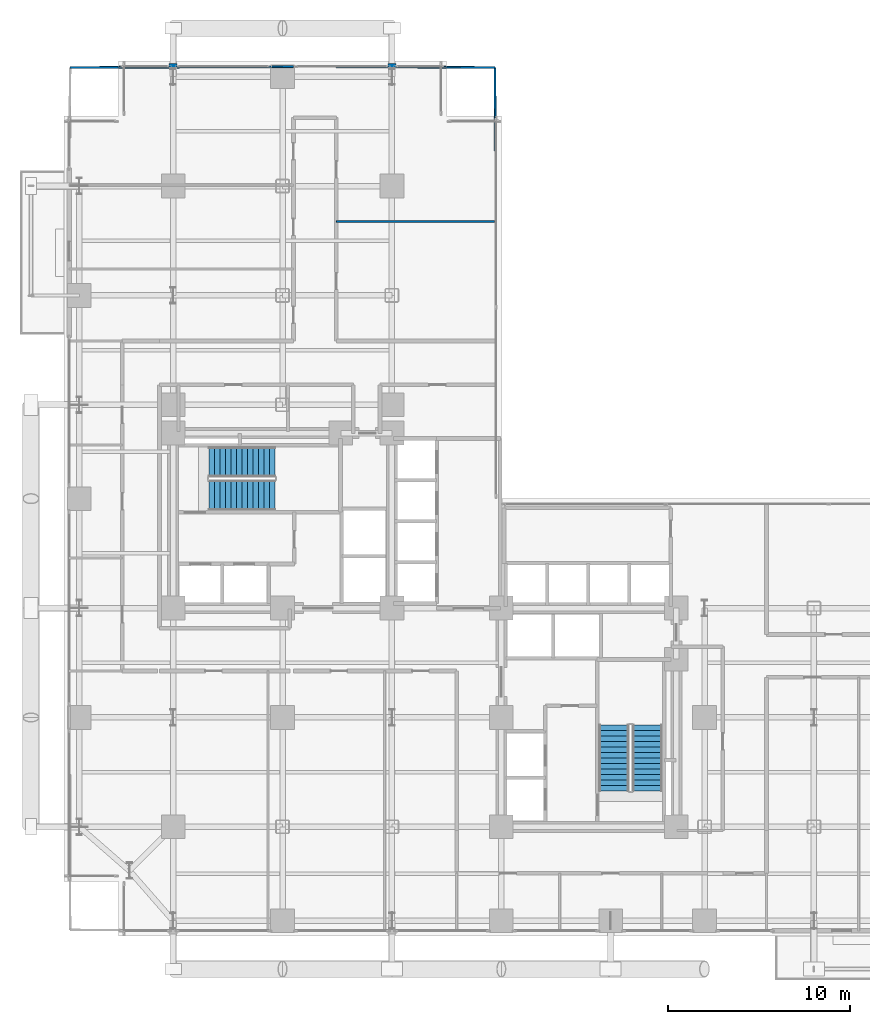
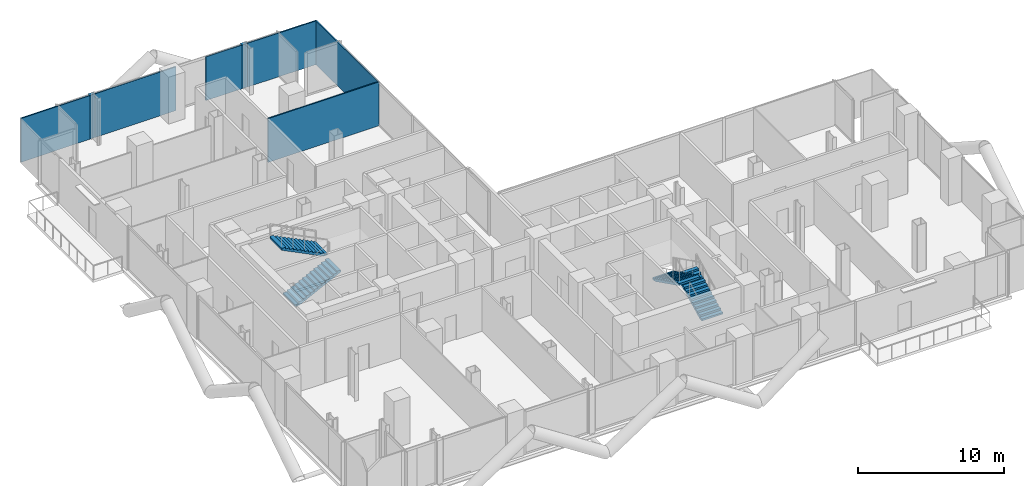
# One storey, part 24 of 27: 8 walls, 4 stair flights, 2 elements without a shape of their own.
"""IFC4 building model written with IfcOpenShell, lengths in metres."""

from ifc_helpers import new_model, si_unit, direction, frame, frame_2d, origin, place, context, subcontext, project, spatial, polyline, rectangle, outline, extrude, material, layer, layer_set, type_object, element, aggregate, save


model = new_model("IFC4")

# Units and contexts
model_context = context("Model", 3, precision=1e-05, world=origin(), true_north=direction((0.0, 1.0)))
body_context = subcontext(model_context, "Body", "Model", "MODEL_VIEW")
ifc_project = project(units=[si_unit("LENGTHUNIT", "METRE"), si_unit("AREAUNIT", "SQUARE_METRE"), si_unit("VOLUMEUNIT", "CUBIC_METRE"), si_unit("PLANEANGLEUNIT", "RADIAN"), si_unit("MASSUNIT", "GRAM", prefix="KILO"), si_unit("THERMODYNAMICTEMPERATUREUNIT", "KELVIN"), si_unit("POWERUNIT", "WATT")], contexts=[model_context])

# Site, building, storey
site_placement = place(None, origin())
site = spatial("IfcSite", under=ifc_project, at=site_placement, CompositionType="ELEMENT")
building_placement = place(site_placement, origin())
building = spatial("IfcBuilding", under=site, at=building_placement, Name="Svarakhadi Broadcast Tower", CompositionType="ELEMENT")
storey_placement = place(building_placement, frame((0.0, 0.0, 87.0)))
storey = spatial("IfcBuildingStorey", under=building, at=storey_placement, Name="L20", CompositionType="ELEMENT", Elevation=87.0)

# Walls
ifc_material_1 = material(Name="Concrete C40/50 (IS 456 M50)", Category="concrete")
ifc_layer_1 = layer(ifc_material_1, 0.239990234375)
ifc_layer_set_1 = layer_set([ifc_layer_1], Name="Concrete C40/50 (IS 456 M50)")
wall_type_1 = type_object("IfcWallType", Name="Wall_Ext_240", PredefinedType="SOLIDWALL", material=ifc_layer_set_1)
for number, where, z_axis, x_axis, name in (
    (1, (5.784912109375, 47.760009765625, 0.0), (0.0, 0.0, 1.0), (1.0, 0.0, 0.0), "L20 Perimeter Bronze Spandrel Closure Wall 01"),
    (2, (17.784912109375, 47.760009765625, 0.0), (0.0, 0.0, 1.0), (1.0, 0.0, 0.0), "L20 Perimeter Bronze Spandrel Closure Wall 02"),
):
    element("IfcWall", number, at=place(storey_placement, frame(where, z_axis=z_axis, x_axis=x_axis)), inside=storey, type_object=wall_type_1, Name=name, PredefinedType="SOLIDWALL", context=body_context, shape_type="SweptSolid", body=[
        extrude(rectangle(XDim=0.43017578125, YDim=0.239990234375, at=frame_2d((0.215087890625, 0.0))), origin(), (0.0, 0.0, 1.0), 3.64990234375),
    ])
ifc_material_2 = material(Name="Fire-Rated Moisture-Resistant Gypsum Board Partition", Category="gypsum")
ifc_layer_2 = layer(ifc_material_2, 0.10009765625)
ifc_layer_set_2 = layer_set([ifc_layer_2], Name="Fire-Rated Moisture-Resistant Gypsum Board Partition")
wall_type_2 = type_object("IfcWallType", Name="Wall_Part_100", PredefinedType="PARTITIONING", material=ifc_layer_set_2)
wall_1_placement = place(storey_placement, frame((0.35009765625, 47.64990234375, 0.0), z_axis=(0.0, 0.0, 1.0), x_axis=(0.999991644778, 0.004087832518, 0.0)))
element("IfcWall", 3, at=wall_1_placement, inside=storey, type_object=wall_type_2, Name="L20 Compliance Registry Store Wall", PredefinedType="PARTITIONING", context=body_context, shape_type="SweptSolid", body=[
    extrude(rectangle(XDim=5.434814453125, YDim=0.10009765625, at=frame_2d((2.71728515625, 0.0))), origin(), (0.0, 0.0, 1.0), 3.64990234375),
])
wall_2_placement = place(storey_placement, frame((6.215087890625, 47.673828125, 0.0), z_axis=(0.0, 0.0, 1.0), x_axis=(0.999991630701, 0.004091274595, 0.0)))
element("IfcWall", 4, at=wall_2_placement, inside=storey, type_object=wall_type_2, Name="L20 Compliance Registry Store Wall", PredefinedType="PARTITIONING", context=body_context, shape_type="SweptSolid", body=[
    extrude(rectangle(XDim=6.385009765625, YDim=0.10009765625, at=frame_2d((3.1923828125, 0.0))), origin(), (0.0, 0.0, 1.0), 3.64990234375),
])
wall_3_placement = place(storey_placement, frame((14.949951171875, 39.199951171875, 0.0), z_axis=(0.0, 0.0, 1.0), x_axis=(1.0, 0.0, 0.0)))
element("IfcWall", 5, at=wall_3_placement, inside=storey, type_object=wall_type_2, Name="L20 Talent Relations Lounge Wall", PredefinedType="PARTITIONING", context=body_context, shape_type="SweptSolid", body=[
    extrude(rectangle(XDim=8.75, YDim=0.10009765625, at=frame_2d((4.375, 0.0))), origin(), (0.0, 0.0, 1.0), 3.64990234375),
])
wall_4_placement = place(storey_placement, frame((14.949951171875, 47.699951171875, 0.0), z_axis=(0.0, 0.0, 1.0), x_axis=(0.999983354582, -0.005769797172, 0.0)))
element("IfcWall", 6, at=wall_4_placement, inside=storey, type_object=wall_type_2, Name="L20 VIP Protocol Office Wall", PredefinedType="PARTITIONING", context=body_context, shape_type="SweptSolid", body=[
    extrude(rectangle(XDim=2.8349609375, YDim=0.10009765625, at=frame_2d((1.41748046875, 0.0))), origin(), (0.0, 0.0, 1.0), 3.64990234375),
])
wall_5_placement = place(storey_placement, frame((18.215087890625, 47.68115234375, 0.0), z_axis=(0.0, 0.0, 1.0), x_axis=(0.999983469354, -0.005749871258, 0.0)))
element("IfcWall", 7, at=wall_5_placement, inside=storey, type_object=wall_type_2, Name="L20 VIP Protocol Office Wall", PredefinedType="PARTITIONING", context=body_context, shape_type="SweptSolid", body=[
    extrude(rectangle(XDim=5.434814453125, YDim=0.10009765625, at=frame_2d((2.71728515625, 0.0))), origin(), (0.0, 0.0, 1.0), 3.64990234375),
])
wall_6_placement = place(storey_placement, frame((23.699951171875, 39.199951171875, 0.0), z_axis=(0.0, 0.0, 1.0), x_axis=(-0.005922868574, 0.99998245966, 0.0)))
element("IfcWall", 8, at=wall_6_placement, inside=storey, type_object=wall_type_2, Name="L20 VIP Protocol Office Wall", PredefinedType="PARTITIONING", context=body_context, shape_type="SweptSolid", body=[
    extrude(rectangle(XDim=8.4501953125, YDim=0.10009765625, at=frame_2d((4.22509765625, 0.0))), origin(), (0.0, 0.0, 1.0), 3.64990234375),
])

# Stair, stair flights
stair_type = type_object("IfcStairType", Name="Stair_Exit_Core", PredefinedType="HALF_TURN_STAIR", material=ifc_material_1)
stair_1_placement = place(storey_placement, origin())
stair_1 = element("IfcStair", 9, at=stair_1_placement, inside=storey, type_object=stair_type, Name="L20 West Core Protected Exit Stair ST-01", PredefinedType="HALF_TURN_STAIR")
stair_flight_type = type_object("IfcStairFlightType", Name="Flight_RC_1680", PredefinedType="STRAIGHT", material=ifc_material_1)
stair_flight_1_placement = place(storey_placement, frame((7.97998046875, 24.18994140625, 0.0), z_axis=(0.0, 0.0, 1.0), x_axis=(1.0, 0.0, 0.0)))
stair_flight_1 = element("IfcStairFlight", 10, at=stair_flight_1_placement, type_object=stair_flight_type, Name="ST-01 flight 1", NumberOfRisers=13, NumberOfTreads=12, PredefinedType="STRAIGHT", RiserHeight=0.15, TreadLength=0.3, context=body_context, shape_type="SweptSolid", body=[
    extrude(outline(polyline([(0.0, 0.0), (0.0, 0.14990234375), (0.300048828125, 0.14990234375), (0.300048828125, 0.300048828125), (0.60009765625, 0.300048828125), (0.60009765625, 0.449951171875), (0.89990234375, 0.449951171875), (0.89990234375, 0.60009765625), (1.199951171875, 0.60009765625), (1.199951171875, 0.75), (1.5, 0.75), (1.5, 0.89990234375), (1.800048828125, 0.89990234375), (1.800048828125, 1.050048828125), (2.10009765625, 1.050048828125), (2.10009765625, 1.199951171875), (2.39990234375, 1.199951171875), (2.39990234375, 1.35009765625), (2.699951171875, 1.35009765625), (2.699951171875, 1.5), (3.0, 1.5), (3.0, 1.64990234375), (3.300048828125, 1.64990234375), (3.300048828125, 1.800048828125), (3.60009765625, 1.800048828125), (3.60009765625, 1.949951171875), (3.60009765625, 1.63232421875), (0.335205078125, 0.0), (0.0, 0.0)])), frame((0.0, 0.830078125, 0.0), z_axis=(0.0, -1.0, 0.0), x_axis=(1.0, 0.0, 0.0)), (0.0, 0.0, 1.0), 1.659912109375),
])
stair_flight_2_placement = place(storey_placement, frame((11.580078125, 26.010009765625, 1.949951171875), z_axis=(0.0, 0.0, 1.0), x_axis=(-1.0, 0.0, 0.0)))
stair_flight_2 = element("IfcStairFlight", 11, at=stair_flight_2_placement, type_object=stair_flight_type, Name="ST-01 flight 2", NumberOfRisers=13, NumberOfTreads=12, PredefinedType="STRAIGHT", RiserHeight=0.15, TreadLength=0.3, context=body_context, shape_type="SweptSolid", body=[
    extrude(outline(polyline([(0.0, 0.0), (0.0, 0.14990234375), (0.300048828125, 0.14990234375), (0.300048828125, 0.300048828125), (0.60009765625, 0.300048828125), (0.60009765625, 0.449951171875), (0.89990234375, 0.449951171875), (0.89990234375, 0.60009765625), (1.199951171875, 0.60009765625), (1.199951171875, 0.75), (1.5, 0.75), (1.5, 0.89990234375), (1.800048828125, 0.89990234375), (1.800048828125, 1.050048828125), (2.10009765625, 1.050048828125), (2.10009765625, 1.199951171875), (2.39990234375, 1.199951171875), (2.39990234375, 1.35009765625), (2.699951171875, 1.35009765625), (2.699951171875, 1.5), (3.0, 1.5), (3.0, 1.64990234375), (3.300048828125, 1.64990234375), (3.300048828125, 1.800048828125), (3.60009765625, 1.800048828125), (3.60009765625, 1.949951171875), (3.60009765625, 1.63232421875), (0.335205078125, 0.0), (0.0, 0.0)])), frame((0.0, 0.830078125, 0.0), z_axis=(0.0, -1.0, 0.0), x_axis=(1.0, 0.0, 0.0)), (0.0, 0.0, 1.0), 1.659912109375),
])
aggregate(stair_1, [stair_flight_1, stair_flight_2])

stair_2_placement = place(storey_placement, origin())
stair_2 = element("IfcStair", 12, at=stair_2_placement, inside=storey, type_object=stair_type, Name="L20 East Core Protected Exit Stair ST-02", PredefinedType="HALF_TURN_STAIR")
stair_flight_3_placement = place(storey_placement, frame((32.010009765625, 7.97998046875, 0.0), z_axis=(0.0, 0.0, 1.0), x_axis=(0.0, 1.0, 0.0)))
stair_flight_3 = element("IfcStairFlight", 13, at=stair_flight_3_placement, type_object=stair_flight_type, Name="ST-02 flight 1", NumberOfRisers=13, NumberOfTreads=12, PredefinedType="STRAIGHT", RiserHeight=0.15, TreadLength=0.3, context=body_context, shape_type="SweptSolid", body=[
    extrude(outline(polyline([(0.0, 0.0), (0.0, 0.14990234375), (0.300048828125, 0.14990234375), (0.300048828125, 0.300048828125), (0.60009765625, 0.300048828125), (0.60009765625, 0.449951171875), (0.89990234375, 0.449951171875), (0.89990234375, 0.60009765625), (1.199951171875, 0.60009765625), (1.199951171875, 0.75), (1.5, 0.75), (1.5, 0.89990234375), (1.800048828125, 0.89990234375), (1.800048828125, 1.050048828125), (2.10009765625, 1.050048828125), (2.10009765625, 1.199951171875), (2.39990234375, 1.199951171875), (2.39990234375, 1.35009765625), (2.699951171875, 1.35009765625), (2.699951171875, 1.5), (3.0, 1.5), (3.0, 1.64990234375), (3.300048828125, 1.64990234375), (3.300048828125, 1.800048828125), (3.60009765625, 1.800048828125), (3.60009765625, 1.949951171875), (3.60009765625, 1.63232421875), (0.335205078125, 0.0), (0.0, 0.0)])), frame((0.0, 0.830078125, 0.0), z_axis=(0.0, -1.0, 0.0), x_axis=(1.0, 0.0, 0.0)), (0.0, 0.0, 1.0), 1.659912109375),
])
stair_flight_4_placement = place(storey_placement, frame((30.18994140625, 11.580078125, 1.949951171875), z_axis=(0.0, 0.0, 1.0), x_axis=(0.0, -1.0, 0.0)))
stair_flight_4 = element("IfcStairFlight", 14, at=stair_flight_4_placement, type_object=stair_flight_type, Name="ST-02 flight 2", NumberOfRisers=13, NumberOfTreads=12, PredefinedType="STRAIGHT", RiserHeight=0.15, TreadLength=0.3, context=body_context, shape_type="SweptSolid", body=[
    extrude(outline(polyline([(0.0, 0.0), (0.0, 0.14990234375), (0.300048828125, 0.14990234375), (0.300048828125, 0.300048828125), (0.60009765625, 0.300048828125), (0.60009765625, 0.449951171875), (0.89990234375, 0.449951171875), (0.89990234375, 0.60009765625), (1.199951171875, 0.60009765625), (1.199951171875, 0.75), (1.5, 0.75), (1.5, 0.89990234375), (1.800048828125, 0.89990234375), (1.800048828125, 1.050048828125), (2.10009765625, 1.050048828125), (2.10009765625, 1.199951171875), (2.39990234375, 1.199951171875), (2.39990234375, 1.35009765625), (2.699951171875, 1.35009765625), (2.699951171875, 1.5), (3.0, 1.5), (3.0, 1.64990234375), (3.300048828125, 1.64990234375), (3.300048828125, 1.800048828125), (3.60009765625, 1.800048828125), (3.60009765625, 1.949951171875), (3.60009765625, 1.63232421875), (0.335205078125, 0.0), (0.0, 0.0)])), frame((0.0, 0.830078125, 0.0), z_axis=(0.0, -1.0, 0.0), x_axis=(1.0, 0.0, 0.0)), (0.0, 0.0, 1.0), 1.659912109375),
])
aggregate(stair_2, [stair_flight_3, stair_flight_4])

save(model, "model.ifc")
